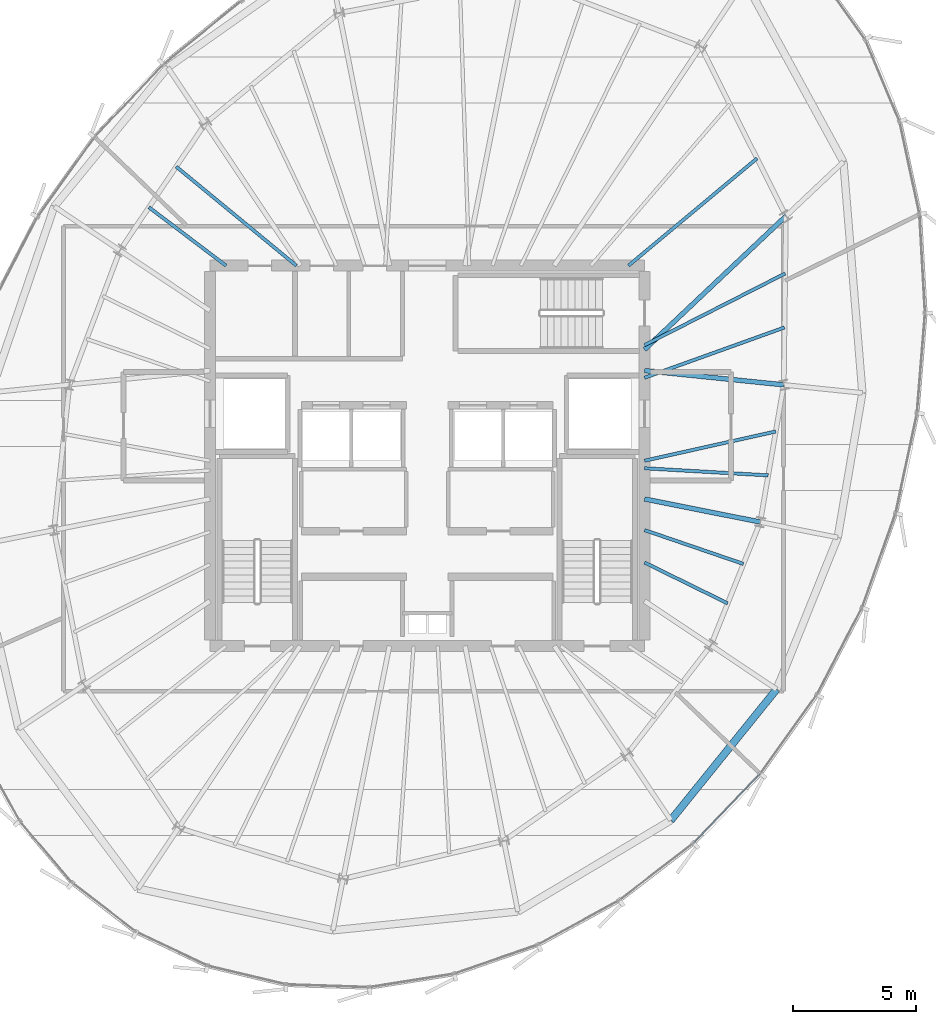
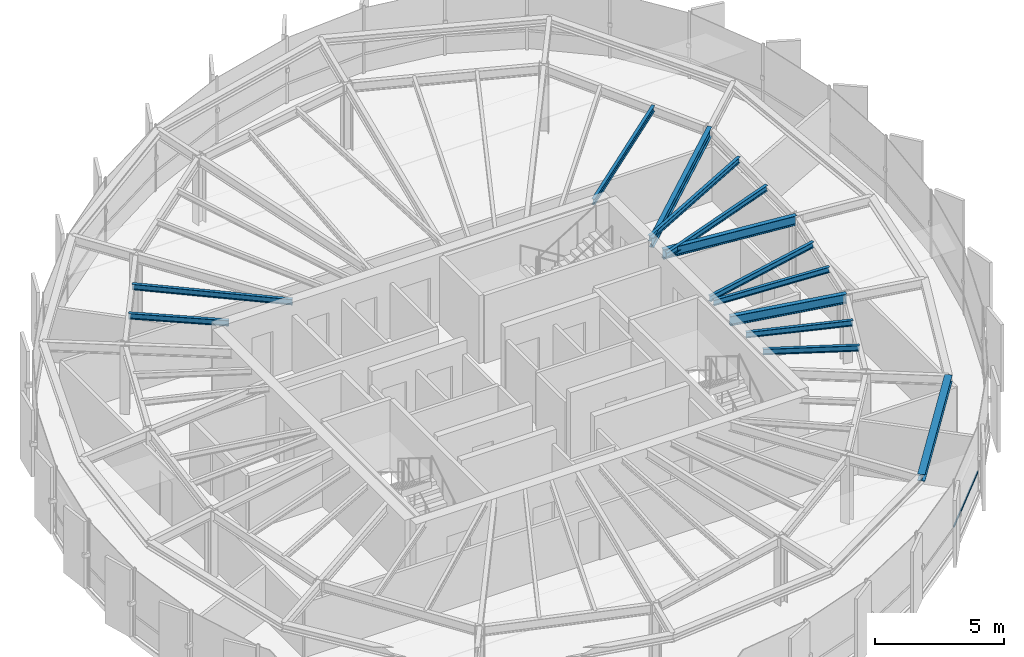
# One storey, part 12 of 31: 13 beams, 1 member, 1 element without a shape of its own.
"""IFC4 building model written with IfcOpenShell, lengths in metres."""

from ifc_helpers import new_model, si_unit, direction, frame, origin, origin_2d, place, context, subcontext, project, spatial, hollow_rectangle, i_section, extrude, source, transform, mapped, material, layer, layer_set, material_profile, profile_set, type_object, element, aggregate, save


model = new_model("IFC4")

# Units and contexts
model_context = context("Model", 3, precision=1e-05, world=origin(), true_north=direction((0.0, 1.0)))
body_context = subcontext(model_context, "Body", "Model", "MODEL_VIEW")
ifc_project = project(units=[si_unit("LENGTHUNIT", "METRE"), si_unit("AREAUNIT", "SQUARE_METRE"), si_unit("VOLUMEUNIT", "CUBIC_METRE"), si_unit("PLANEANGLEUNIT", "RADIAN"), si_unit("MASSUNIT", "GRAM", prefix="KILO"), si_unit("THERMODYNAMICTEMPERATUREUNIT", "KELVIN")], contexts=[model_context])

# Site, building, storey
site_placement = place(None, origin())
site = spatial("IfcSite", under=ifc_project, at=site_placement, CompositionType="ELEMENT")
building_placement = place(site_placement, origin())
building = spatial("IfcBuilding", under=site, at=building_placement, Name="Kethvar Cultural Tower", CompositionType="ELEMENT")
storey_placement = place(building_placement, frame((0.0, 0.0, 269.800048828125)))
storey = spatial("IfcBuildingStorey", under=building, at=storey_placement, Name="L71", CompositionType="ELEMENT", Elevation=269.800048828125)

# Beams
ifc_material_1 = material(Name="Steel S355J2", Category="steel")
ifc_material_profile_1 = material_profile(ifc_material_1, i_section(OverallWidth=0.18994140625, OverallDepth=0.449951171875, WebThickness=0.009521484375, FlangeThickness=0.0146484375, FilletRadius=0.02099609375, at=origin_2d()), Name="Steel S355J2 — IPE450")
ifc_profile_set_1 = profile_set([ifc_material_profile_1], Name="Steel S355J2 — IPE450")
beam_type_1 = type_object("IfcBeamType", Name="BM-IPE450", PredefinedType="BEAM", material=ifc_profile_set_1)
shared_shape_1 = source(origin(), body_context, "Body", "SweptSolid", [
    extrude(i_section(OverallWidth=0.18994140625, OverallDepth=0.449951171875, WebThickness=0.009521484375, FlangeThickness=0.0146484375, FilletRadius=0.02099609375, at=origin_2d()), origin(), (0.0, 0.0, 1.0), 5.66650390625),
])
beam_1_placement = place(storey_placement, frame((55.60009765625, 31.25, 2.98291015625), z_axis=(0.994777513459, -0.102067128476, 0.0), x_axis=(0.102067128476, 0.994777513459, 0.0)))
element("IfcBeam", 1, at=beam_1_placement, inside=storey, type_object=beam_type_1, Name="L71 Primary Radial Beam RB-01", PredefinedType="BEAM", context=body_context, shape_type="MappedRepresentation", body=[
    mapped(shared_shape_1, transform((0.0, 0.0, 0.0), scale=1.0)),
])
shared_shape_2 = source(origin(), body_context, "Body", "SweptSolid", [
    extrude(i_section(OverallWidth=0.18994140625, OverallDepth=0.449951171875, WebThickness=0.009521484375, FlangeThickness=0.0146484375, FilletRadius=0.02099609375, at=origin_2d()), origin(), (0.0, 0.0, 1.0), 7.874267578125),
])
beam_2_placement = place(storey_placement, frame((55.60009765625, 32.10009765625, 2.98291015625), z_axis=(0.727123202456, 0.686506990823, 0.0), x_axis=(-0.686506990823, 0.727123202456, 0.0)))
element("IfcBeam", 2, at=beam_2_placement, inside=storey, type_object=beam_type_1, Name="L71 Primary Radial Beam RB-02", PredefinedType="BEAM", context=body_context, shape_type="MappedRepresentation", body=[
    mapped(shared_shape_2, transform((0.0, 0.0, 0.0), scale=1.0)),
])
shared_shape_3 = source(origin(), body_context, "Body", "SweptSolid", [
    extrude(i_section(OverallWidth=0.18994140625, OverallDepth=0.449951171875, WebThickness=0.009521484375, FlangeThickness=0.0146484375, FilletRadius=0.02099609375, at=origin_2d()), origin(), (0.0, 0.0, 1.0), 4.775390625),
])
beam_3_placement = place(storey_placement, frame((55.60009765625, 26.049560546875, 2.98291015625), z_axis=(0.980784643133, -0.195093525761, 0.0), x_axis=(0.195093525761, 0.980784643133, 0.0)))
element("IfcBeam", 3, at=beam_3_placement, inside=storey, type_object=beam_type_1, Name="L71 Primary Radial Beam RB-16", PredefinedType="BEAM", context=body_context, shape_type="MappedRepresentation", body=[
    mapped(shared_shape_3, transform((0.0, 0.0, 0.0), scale=1.0)),
])
ifc_material_profile_2 = material_profile(ifc_material_1, i_section(OverallWidth=0.135009765625, OverallDepth=0.27001953125, WebThickness=0.006591796875, FlangeThickness=0.01025390625, FilletRadius=0.014892578125, at=origin_2d()), Name="Steel S355J2 — IPE270")
ifc_profile_set_2 = profile_set([ifc_material_profile_2], Name="Steel S355J2 — IPE270")
beam_type_2 = type_object("IfcBeamType", Name="BM-J270", PredefinedType="JOIST", material=ifc_profile_set_2)
shared_shape_4 = source(origin(), body_context, "Body", "SweptSolid", [
    extrude(i_section(OverallWidth=0.135009765625, OverallDepth=0.27001953125, WebThickness=0.006591796875, FlangeThickness=0.01025390625, FilletRadius=0.014892578125, at=origin_2d()), origin(), (0.0, 0.0, 1.0), 6.021240234375),
])
beam_4_placement = place(storey_placement, frame((55.60009765625, 30.960205078125, 3.072998046875), z_axis=(0.94114970072, 0.337990001086, 0.0), x_axis=(-0.337990001086, 0.94114970072, 0.0)))
element("IfcBeam", 4, at=beam_4_placement, inside=storey, type_object=beam_type_2, Name="L71 Composite Floor Joist J-01A", PredefinedType="JOIST", context=body_context, shape_type="MappedRepresentation", body=[
    mapped(shared_shape_4, transform((0.0, 0.0, 0.0), scale=1.0)),
])
shared_shape_5 = source(origin(), body_context, "Body", "SweptSolid", [
    extrude(i_section(OverallWidth=0.135009765625, OverallDepth=0.27001953125, WebThickness=0.006591796875, FlangeThickness=0.01025390625, FilletRadius=0.014892578125, at=origin_2d()), origin(), (0.0, 0.0, 1.0), 6.3916015625),
])
beam_5_placement = place(storey_placement, frame((55.60009765625, 32.281494140625, 3.072998046875), z_axis=(0.891094874615, 0.453817060538, 0.0), x_axis=(-0.453817060538, 0.891094874615, 0.0)))
element("IfcBeam", 5, at=beam_5_placement, inside=storey, type_object=beam_type_2, Name="L71 Composite Floor Joist J-01B", PredefinedType="JOIST", context=body_context, shape_type="MappedRepresentation", body=[
    mapped(shared_shape_5, transform((0.0, 0.0, 0.0), scale=1.0)),
])
shared_shape_6 = source(origin(), body_context, "Body", "SweptSolid", [
    extrude(i_section(OverallWidth=0.135009765625, OverallDepth=0.27001953125, WebThickness=0.006591796875, FlangeThickness=0.01025390625, FilletRadius=0.014892578125, at=origin_2d()), origin(), (0.0, 0.0, 1.0), 6.776123046875),
])
beam_6_placement = place(storey_placement, frame((54.949951171875, 35.5, 3.072998046875), z_axis=(0.767801747857, 0.6406875026, 0.0), x_axis=(-0.6406875026, 0.767801747857, 0.0)))
element("IfcBeam", 6, at=beam_6_placement, inside=storey, type_object=beam_type_2, Name="L71 Composite Floor Joist J-02A", PredefinedType="JOIST", context=body_context, shape_type="MappedRepresentation", body=[
    mapped(shared_shape_6, transform((0.0, 0.0, 0.0), scale=1.0)),
])
shared_shape_7 = source(origin(), body_context, "Body", "SweptSolid", [
    extrude(i_section(OverallWidth=0.135009765625, OverallDepth=0.27001953125, WebThickness=0.006591796875, FlangeThickness=0.01025390625, FilletRadius=0.014892578125, at=origin_2d()), origin(), (0.0, 0.0, 1.0), 6.302978515625),
])
beam_7_placement = place(storey_placement, frame((41.5, 35.5, 3.072998046875), z_axis=(-0.771828477148, 0.635830796567, 0.0), x_axis=(-0.635830796567, -0.771828477148, 0.0)))
element("IfcBeam", 7, at=beam_7_placement, inside=storey, type_object=beam_type_2, Name="L71 Composite Floor Joist J-06A", PredefinedType="JOIST", context=body_context, shape_type="MappedRepresentation", body=[
    mapped(shared_shape_7, transform((0.0, 0.0, 0.0), scale=1.0)),
])
shared_shape_8 = source(origin(), body_context, "Body", "SweptSolid", [
    extrude(i_section(OverallWidth=0.135009765625, OverallDepth=0.27001953125, WebThickness=0.006591796875, FlangeThickness=0.01025390625, FilletRadius=0.014892578125, at=origin_2d()), origin(), (0.0, 0.0, 1.0), 3.91357421875),
])
beam_8_placement = place(storey_placement, frame((38.64990234375, 35.5, 3.072998046875), z_axis=(-0.797214062325, 0.603696727531, 0.0), x_axis=(-0.603696727531, -0.797214062325, 0.0)))
element("IfcBeam", 8, at=beam_8_placement, inside=storey, type_object=beam_type_2, Name="L71 Composite Floor Joist J-06B", PredefinedType="JOIST", context=body_context, shape_type="MappedRepresentation", body=[
    mapped(shared_shape_8, transform((0.0, 0.0, 0.0), scale=1.0)),
])
ifc_material_profile_3 = material_profile(ifc_material_1, i_section(OverallWidth=0.300048828125, OverallDepth=0.320068359375, WebThickness=0.011474609375, FlangeThickness=0.0205078125, FilletRadius=0.027099609375, at=origin_2d()), Name="Steel S355J2 — HEB320")
ifc_profile_set_3 = profile_set([ifc_material_profile_3], Name="Steel S355J2 — HEB320")
beam_type_3 = type_object("IfcBeamType", Name="BM-SP320", PredefinedType="SPANDREL", material=ifc_profile_set_3)
shared_shape_9 = source(origin(), body_context, "Body", "SweptSolid", [
    extrude(i_section(OverallWidth=0.300048828125, OverallDepth=0.320068359375, WebThickness=0.011474609375, FlangeThickness=0.0205078125, FilletRadius=0.027099609375, at=origin_2d()), origin(), (0.0, 0.0, 1.0), 6.8212890625),
])
beam_9_placement = place(storey_placement, frame((56.66259765625, 13.039306640625, 3.0478515625), z_axis=(0.628197971595, 0.778053538315, 0.0), x_axis=(-0.778053538315, 0.628197971595, 0.0)))
element("IfcBeam", 9, at=beam_9_placement, inside=storey, type_object=beam_type_3, Name="L71 Perimeter Spandrel Beam SP-14", PredefinedType="SPANDREL", context=body_context, shape_type="MappedRepresentation", body=[
    mapped(shared_shape_9, transform((0.0, 0.0, 0.0), scale=1.0)),
])
shared_shape_10 = source(origin(), body_context, "Body", "SweptSolid", [
    extrude(i_section(OverallWidth=0.135009765625, OverallDepth=0.27001953125, WebThickness=0.006591796875, FlangeThickness=0.01025390625, FilletRadius=0.014892578125, at=origin_2d()), origin(), (0.0, 0.0, 1.0), 3.75),
])
beam_10_placement = place(storey_placement, frame((55.60009765625, 23.476318359375, 3.072998046875), z_axis=(0.8975046019, -0.441005090184, 0.0), x_axis=(0.441005090184, 0.8975046019, 0.0)))
element("IfcBeam", 10, at=beam_10_placement, inside=storey, type_object=beam_type_2, Name="L71 Composite Floor Joist J-15A", PredefinedType="JOIST", context=body_context, shape_type="MappedRepresentation", body=[
    mapped(shared_shape_10, transform((0.0, 0.0, 0.0), scale=1.0)),
])
shared_shape_11 = source(origin(), body_context, "Body", "SweptSolid", [
    extrude(i_section(OverallWidth=0.135009765625, OverallDepth=0.27001953125, WebThickness=0.006591796875, FlangeThickness=0.01025390625, FilletRadius=0.014892578125, at=origin_2d()), origin(), (0.0, 0.0, 1.0), 4.232421875),
])
beam_11_placement = place(storey_placement, frame((55.60009765625, 24.7900390625, 3.072998046875), z_axis=(0.946173747357, -0.323659141402, 0.0), x_axis=(0.323659141402, 0.946173747357, 0.0)))
element("IfcBeam", 11, at=beam_11_placement, inside=storey, type_object=beam_type_2, Name="L71 Composite Floor Joist J-15B", PredefinedType="JOIST", context=body_context, shape_type="MappedRepresentation", body=[
    mapped(shared_shape_11, transform((0.0, 0.0, 0.0), scale=1.0)),
])
shared_shape_12 = source(origin(), body_context, "Body", "SweptSolid", [
    extrude(i_section(OverallWidth=0.135009765625, OverallDepth=0.27001953125, WebThickness=0.006591796875, FlangeThickness=0.01025390625, FilletRadius=0.014892578125, at=origin_2d()), origin(), (0.0, 0.0, 1.0), 5.01611328125),
])
beam_12_placement = place(storey_placement, frame((55.60009765625, 27.294189453125, 3.072998046875), z_axis=(0.998352190078, -0.057383835418, 0.0), x_axis=(0.057383835418, 0.998352190078, 0.0)))
element("IfcBeam", 12, at=beam_12_placement, inside=storey, type_object=beam_type_2, Name="L71 Composite Floor Joist J-16A", PredefinedType="JOIST", context=body_context, shape_type="MappedRepresentation", body=[
    mapped(shared_shape_12, transform((0.0, 0.0, 0.0), scale=1.0)),
])
shared_shape_13 = source(origin(), body_context, "Body", "SweptSolid", [
    extrude(i_section(OverallWidth=0.135009765625, OverallDepth=0.27001953125, WebThickness=0.006591796875, FlangeThickness=0.01025390625, FilletRadius=0.014892578125, at=origin_2d()), origin(), (0.0, 0.0, 1.0), 5.44287109375),
])
beam_13_placement = place(storey_placement, frame((55.60009765625, 27.60009765625, 3.072998046875), z_axis=(0.976080346759, 0.217410111702, 0.0), x_axis=(-0.217410111702, 0.976080346759, 0.0)))
element("IfcBeam", 13, at=beam_13_placement, inside=storey, type_object=beam_type_2, Name="L71 Composite Floor Joist J-16B", PredefinedType="JOIST", context=body_context, shape_type="MappedRepresentation", body=[
    mapped(shared_shape_13, transform((0.0, 0.0, 0.0), scale=1.0)),
])

# Curtain wall, member
ifc_material_2 = material(Name="Aluminium 6063-T6", Category="aluminium")
ifc_layer = layer(ifc_material_2, 0.179931640625, Name="Aluminium 6063-T6", Category="aluminium")
ifc_layer_set = layer_set([ifc_layer], Name="Aluminium 6063-T6 (180 mm)")
curtain_wall_type = type_object("IfcCurtainWallType", Name="CW-SYS-05-Z56", PredefinedType="NOTDEFINED", material=ifc_layer_set)
curtain_wall_placement = place(storey_placement, origin())
curtain_wall = element("IfcCurtainWall", 14, at=curtain_wall_placement, inside=storey, type_object=curtain_wall_type, Name="L71 Curtain Wall Run 05", PredefinedType="NOTDEFINED")
ifc_material_profile_4 = material_profile(ifc_material_2, hollow_rectangle(XDim=0.050048828125, YDim=0.10009765625, WallThickness=0.00390625, at=origin_2d()), Name="Aluminium 6063-T6 — RHS100x50x4")
ifc_profile_set_4 = profile_set([ifc_material_profile_4], Name="Aluminium 6063-T6 — RHS100x50x4")
member_type = type_object("IfcMemberType", Name="CW-SYS-05-Z56-TRN", PredefinedType="USERDEFINED", material=ifc_profile_set_4)
shared_shape_14 = source(origin(), body_context, "Body", "SweptSolid", [
    extrude(hollow_rectangle(XDim=0.050048828125, YDim=0.10009765625, WallThickness=0.00390625, at=origin_2d()), origin(), (0.0, 0.0, 1.0), 3.83349609375),
])
member_placement = place(storey_placement, frame((57.607421875, 12.14306640625, 0.949951171875), z_axis=(0.69328178804, 0.720666609725, 0.0), x_axis=(-0.720666609725, 0.69328178804, 0.0)))
member = element("IfcMember", 15, at=member_placement, type_object=member_type, Name="CW-L71-R05 Transom 2", ObjectType="TRANSOM", PredefinedType="USERDEFINED", context=body_context, shape_type="MappedRepresentation", body=[
    mapped(shared_shape_14, transform((0.0, 0.0, 0.0), scale=1.0)),
])
aggregate(curtain_wall, [member])

save(model, "model.ifc")
